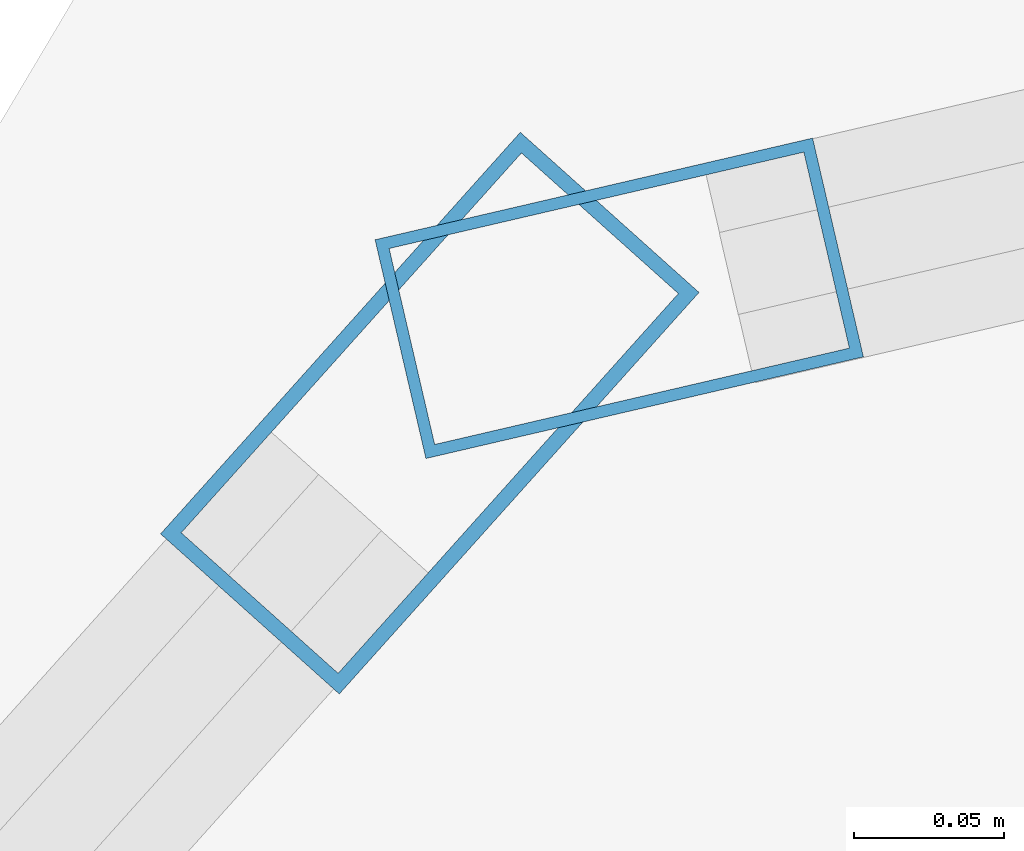
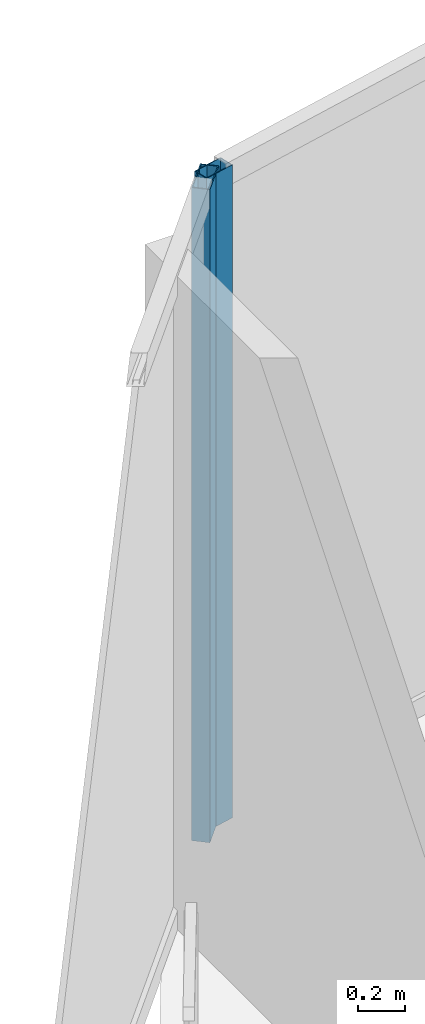
# One storey, part 19 of 32: 2 members, 2 elements without a shape of their own.
"""IFC4 building model written with IfcOpenShell, lengths in metres."""

from ifc_helpers import new_model, si_unit, direction, frame, origin, origin_2d, place, context, subcontext, project, spatial, hollow_rectangle, extrude, material, layer, layer_set, material_profile, profile_set, type_object, element, aggregate, save


model = new_model("IFC4")

# Units and contexts
model_context = context("Model", 3, precision=1e-05, world=origin(), true_north=direction((0.0, 1.0)))
body_context = subcontext(model_context, "Body", "Model", "MODEL_VIEW")
ifc_project = project(units=[si_unit("LENGTHUNIT", "METRE"), si_unit("AREAUNIT", "SQUARE_METRE"), si_unit("VOLUMEUNIT", "CUBIC_METRE"), si_unit("PLANEANGLEUNIT", "RADIAN"), si_unit("MASSUNIT", "GRAM", prefix="KILO")], contexts=[model_context])

# Site, building, storey
site_placement = place(None, origin())
site = spatial("IfcSite", under=ifc_project, at=site_placement, CompositionType="ELEMENT")
building_placement = place(site_placement, origin())
building = spatial("IfcBuilding", under=site, at=building_placement, Name="Kazevale Care Tower and Concert Hall", CompositionType="ELEMENT")
storey_placement = place(building_placement, frame((0.0, 0.0, 85.199951171875)))
storey = spatial("IfcBuildingStorey", under=building, at=storey_placement, Name="L22", CompositionType="ELEMENT", Elevation=85.199951171875)

# Curtain wall, member
ifc_material_1 = material(Name="Aluminium 6063-T6 and Low-E Glass", Category="aluminium")
ifc_layer_1 = layer(ifc_material_1, 0.179931640625)
ifc_layer_set_1 = layer_set([ifc_layer_1], Name="Aluminium 6063-T6 and Low-E Glass")
curtain_wall_type_1 = type_object("IfcCurtainWallType", Name="Convex Checkerboard Finned Curtain Wall CW-2", PredefinedType="NOTDEFINED", material=ifc_layer_set_1)
curtain_wall_1_placement = place(storey_placement, origin())
curtain_wall_1 = element("IfcCurtainWall", 1, at=curtain_wall_1_placement, inside=storey, type_object=curtain_wall_type_1, Name="cw:L22:f14", PredefinedType="NOTDEFINED")
ifc_material_2 = material(Name="Aluminium 6063-T6", Category="aluminium")
ifc_material_profile_1 = material_profile(ifc_material_2, hollow_rectangle(XDim=0.080078125, YDim=0.179931640625, WallThickness=0.0048828125, at=origin_2d()), Name="ALU80x180x5")
ifc_profile_set_1 = profile_set([ifc_material_profile_1], Name="Aluminium 6063-T6")
member_type_1 = type_object("IfcMemberType", Name="CW-2 Mullion ALU80x180x5", PredefinedType="MULLION", material=ifc_profile_set_1)
member_1_placement = place(storey_placement, frame((26.398193359375, 61.833251953125, 0.0), z_axis=(0.0, 0.0, 1.0), x_axis=(-0.744820476493, 0.667264908262, 0.0)))
member_1 = element("IfcMember", 2, at=member_1_placement, type_object=member_type_1, Name="CW-2 mullion 2", PredefinedType="MULLION", context=body_context, shape_type="SweptSolid", body=[
    extrude(hollow_rectangle(XDim=0.080078125, YDim=0.179931640625, WallThickness=0.0048828125, at=origin_2d()), origin(), (0.0, 0.0, 1.0), 3.360107421875),
])
aggregate(curtain_wall_1, [member_1])

ifc_layer_2 = layer(ifc_material_1, 0.179931640625)
ifc_layer_set_2 = layer_set([ifc_layer_2], Name="Aluminium 6063-T6 and Low-E Glass")
curtain_wall_type_2 = type_object("IfcCurtainWallType", Name="Convex Recessed Sunroom Curtain Wall CW-3", PredefinedType="NOTDEFINED", material=ifc_layer_set_2)
curtain_wall_2_placement = place(storey_placement, origin())
curtain_wall_2 = element("IfcCurtainWall", 3, at=curtain_wall_2_placement, inside=storey, type_object=curtain_wall_type_2, Name="cw:L22:f15", PredefinedType="NOTDEFINED")
ifc_material_profile_2 = material_profile(ifc_material_2, hollow_rectangle(XDim=0.074951171875, YDim=0.14990234375, WallThickness=0.00390625, at=origin_2d()), Name="ALU75x150x4")
ifc_profile_set_2 = profile_set([ifc_material_profile_2], Name="Aluminium 6063-T6")
member_type_2 = type_object("IfcMemberType", Name="CW-3 Mullion ALU75x150x4", PredefinedType="MULLION", material=ifc_profile_set_2)
member_2_placement = place(storey_placement, frame((26.46142578125, 61.87158203125, 0.0), z_axis=(0.0, 0.0, 1.0), x_axis=(-0.226287348061, 0.9740605916, 0.0)))
member_2 = element("IfcMember", 4, at=member_2_placement, type_object=member_type_2, Name="CW-3 mullion 1", PredefinedType="MULLION", context=body_context, shape_type="SweptSolid", body=[
    extrude(hollow_rectangle(XDim=0.074951171875, YDim=0.14990234375, WallThickness=0.00390625, at=origin_2d()), origin(), (0.0, 0.0, 1.0), 3.360107421875),
])
aggregate(curtain_wall_2, [member_2])

save(model, "model.ifc")
